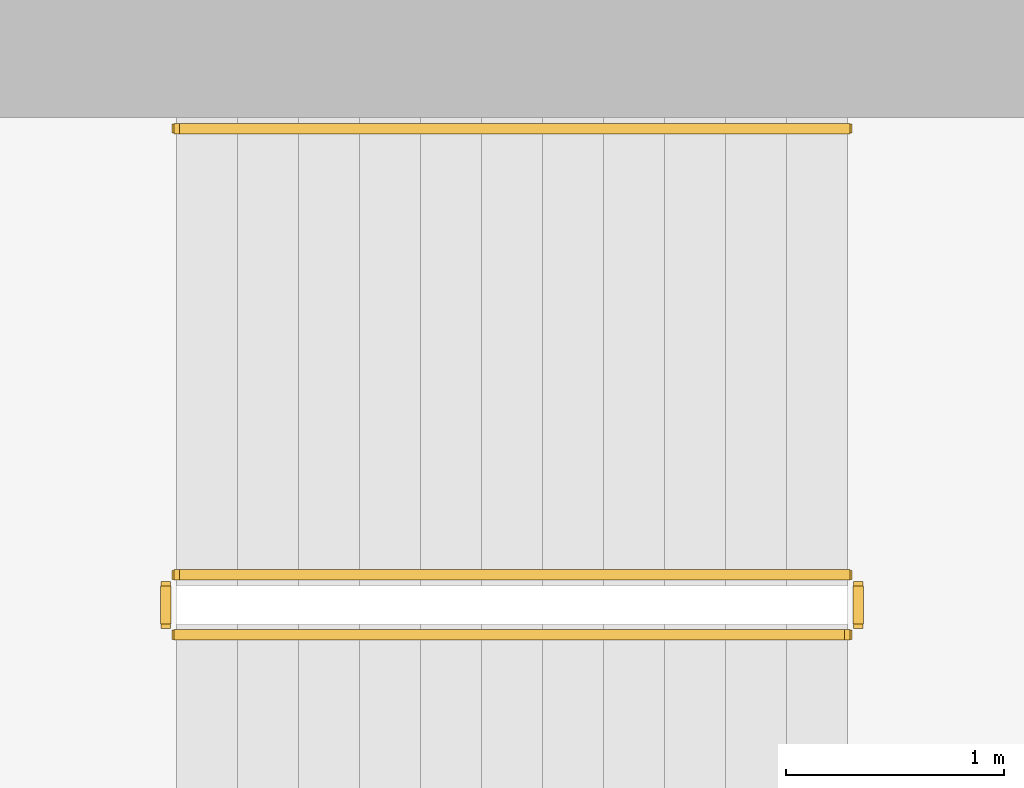
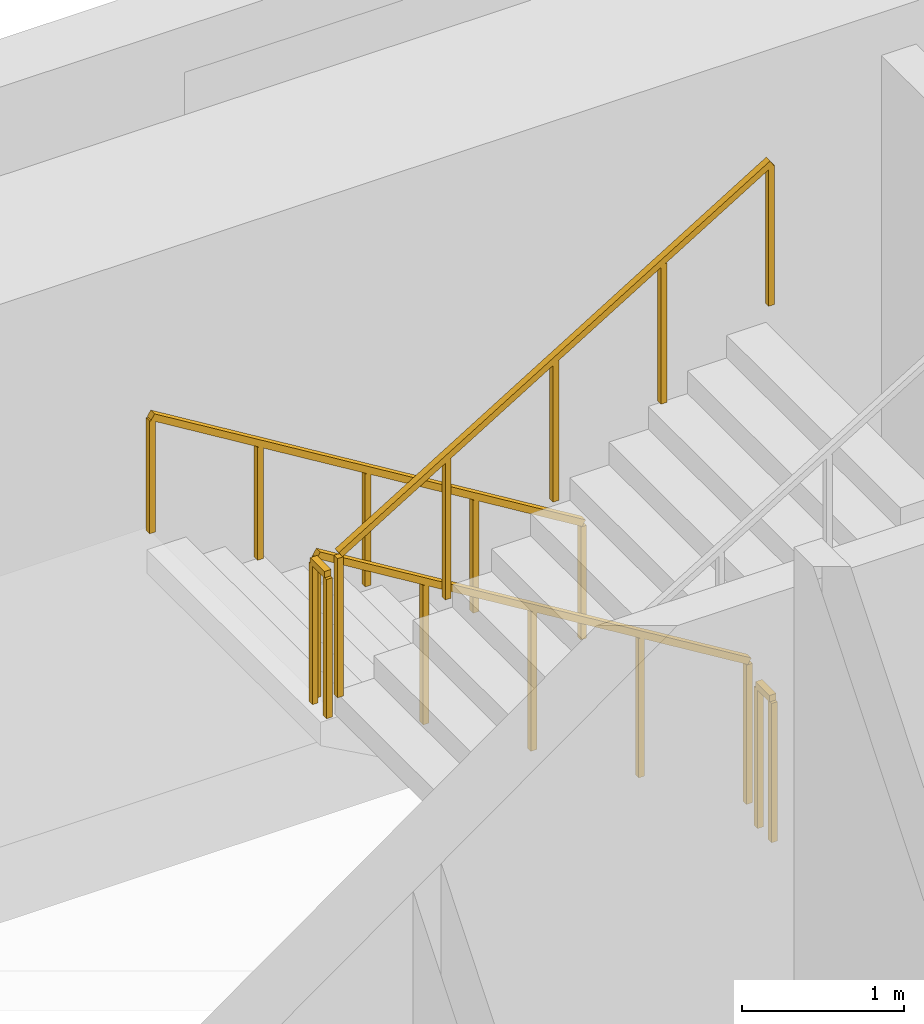
# One storey, part 13 of 14: 5 railings.
"""IFC4 building model written with IfcOpenShell, lengths in metres."""

from ifc_helpers import new_model, si_unit, direction, frame, origin, origin_2d, place, context, subcontext, project, spatial, rectangle, extrude, material, type_object, element, save


model = new_model("IFC4")

# Units and contexts
model_context = context("Model", 3, precision=1e-05, world=origin(), true_north=direction((0.0, 1.0)))
body_context = subcontext(model_context, "Body", "Model", "MODEL_VIEW")
ifc_project = project(units=[si_unit("LENGTHUNIT", "METRE"), si_unit("AREAUNIT", "SQUARE_METRE"), si_unit("VOLUMEUNIT", "CUBIC_METRE"), si_unit("PLANEANGLEUNIT", "RADIAN"), si_unit("MASSUNIT", "GRAM", prefix="KILO")], contexts=[model_context])

# Site, building, storey
site_placement = place(None, origin())
site = spatial("IfcSite", under=ifc_project, at=site_placement, CompositionType="ELEMENT")
building_placement = place(site_placement, origin())
building = spatial("IfcBuilding", under=site, at=building_placement, Name="Cypress Arch Tower", CompositionType="ELEMENT")
storey_placement = place(building_placement, frame((0.0, 0.0, 272.10009765625)))
storey = spatial("IfcBuildingStorey", under=building, at=storey_placement, Name="L61", CompositionType="ELEMENT", Elevation=272.10009765625)

# Railings
ifc_material_1 = material(Name="Black powder-coated steel square bar 48 mm", Category="steel")
railing_type_1 = type_object("IfcRailingType", Name="Stair handrail HR1", PredefinedType="HANDRAIL", material=ifc_material_1)
railing_1_placement = place(storey_placement, frame((-22.27490234375, 14.75, 0.170654296875)))
element("IfcRailing", 1, at=railing_1_placement, inside=storey, type_object=railing_type_1, Name="L61 B stair handrail 1", PredefinedType="HANDRAIL", context=body_context, shape_type="SweptSolid", body=[
    extrude(rectangle(XDim=0.048095703125, YDim=0.048095703125, at=origin_2d()), frame((0.0, 0.0, 0.8759765625), z_axis=(-0.853666305674, 0.0, 0.52082035152), x_axis=(0.0, -1.0, 0.0)), (0.0, 0.0, 1.0), 3.608154296875),
    extrude(rectangle(XDim=0.0419921875, YDim=0.0419921875, at=origin_2d()), origin(), (0.0, 0.0, 1.0), 0.851806640625),
    extrude(rectangle(XDim=0.0419921875, YDim=0.0419921875, at=origin_2d()), frame((-0.77001953125, 0.0, 0.4697265625)), (0.0, 0.0, 1.0), 0.851806640625),
    extrude(rectangle(XDim=0.0419921875, YDim=0.0419921875, at=origin_2d()), frame((-1.5400390625, 0.0, 0.939453125)), (0.0, 0.0, 1.0), 0.851806640625),
    extrude(rectangle(XDim=0.0419921875, YDim=0.0419921875, at=origin_2d()), frame((-2.31005859375, 0.0, 1.409423828125)), (0.0, 0.0, 1.0), 0.851806640625),
    extrude(rectangle(XDim=0.0419921875, YDim=0.0419921875, at=origin_2d()), frame((-3.080078125, 0.0, 1.879150390625)), (0.0, 0.0, 1.0), 0.851806640625),
])
ifc_material_2 = material(Name="Black powder-coated steel balusters", Category="steel")
railing_type_2 = type_object("IfcRailingType", Name="Stair well guard G1", PredefinedType="GUARDRAIL", material=ifc_material_2)
railing_2_placement = place(storey_placement, frame((-22.27490234375, 12.699951171875, 0.170654296875)))
element("IfcRailing", 2, at=railing_2_placement, inside=storey, type_object=railing_type_2, Name="L61 B stair guard 1", PredefinedType="GUARDRAIL", context=body_context, shape_type="SweptSolid", body=[
    extrude(rectangle(XDim=0.048095703125, YDim=0.048095703125, at=origin_2d()), frame((0.0, 0.0, 1.076171875), z_axis=(-0.853666305674, 0.0, 0.52082035152), x_axis=(0.0, -1.0, 0.0)), (0.0, 0.0, 1.0), 3.608154296875),
    extrude(rectangle(XDim=0.0419921875, YDim=0.0419921875, at=origin_2d()), origin(), (0.0, 0.0, 1.0), 1.052001953125),
    extrude(rectangle(XDim=0.0419921875, YDim=0.0419921875, at=origin_2d()), frame((-0.77001953125, 0.0, 0.4697265625)), (0.0, 0.0, 1.0), 1.052001953125),
    extrude(rectangle(XDim=0.0419921875, YDim=0.0419921875, at=origin_2d()), frame((-1.5400390625, 0.0, 0.939453125)), (0.0, 0.0, 1.0), 1.052001953125),
    extrude(rectangle(XDim=0.0419921875, YDim=0.0419921875, at=origin_2d()), frame((-2.31005859375, 0.0, 1.409423828125)), (0.0, 0.0, 1.0), 1.052001953125),
    extrude(rectangle(XDim=0.0419921875, YDim=0.0419921875, at=origin_2d()), frame((-3.080078125, 0.0, 1.879150390625)), (0.0, 0.0, 1.0), 1.052001953125),
])
railing_3_placement = place(storey_placement, frame((-25.405029296875, 12.64990234375, 2.0498046875)))
element("IfcRailing", 3, at=railing_3_placement, inside=storey, type_object=railing_type_2, Name="L61 B stair guard 2", PredefinedType="GUARDRAIL", context=body_context, shape_type="SweptSolid", body=[
    extrude(rectangle(XDim=0.048095703125, YDim=0.048095703125, at=origin_2d()), frame((0.0, 0.0, 1.076171875), z_axis=(0.0, -1.0, 0.0), x_axis=(1.0, 0.0, 0.0)), (0.0, 0.0, 1.0), 0.1748046875),
    extrude(rectangle(XDim=0.0419921875, YDim=0.0419921875, at=origin_2d()), origin(), (0.0, 0.0, 1.0), 1.052001953125),
    extrude(rectangle(XDim=0.0419921875, YDim=0.0419921875, at=origin_2d()), frame((0.0, -0.1748046875, 0.0)), (0.0, 0.0, 1.0), 1.052001953125),
])
railing_4_placement = place(storey_placement, frame((-25.35498046875, 12.425048828125, 2.220703125)))
element("IfcRailing", 4, at=railing_4_placement, inside=storey, type_object=railing_type_2, Name="L61 B stair guard 3", PredefinedType="GUARDRAIL", context=body_context, shape_type="SweptSolid", body=[
    extrude(rectangle(XDim=0.048095703125, YDim=0.048095703125, at=origin_2d()), frame((0.0, 0.0, 1.076171875), z_axis=(0.853666305674, 0.0, 0.52082035152), x_axis=(0.0, 1.0, 0.0)), (0.0, 0.0, 1.0), 3.608154296875),
    extrude(rectangle(XDim=0.0419921875, YDim=0.0419921875, at=origin_2d()), origin(), (0.0, 0.0, 1.0), 1.052001953125),
    extrude(rectangle(XDim=0.0419921875, YDim=0.0419921875, at=origin_2d()), frame((0.77001953125, 0.0, 0.4697265625)), (0.0, 0.0, 1.0), 1.052001953125),
    extrude(rectangle(XDim=0.0419921875, YDim=0.0419921875, at=origin_2d()), frame((1.5400390625, 0.0, 0.939453125)), (0.0, 0.0, 1.0), 1.052001953125),
    extrude(rectangle(XDim=0.0419921875, YDim=0.0419921875, at=origin_2d()), frame((2.31005859375, 0.0, 1.409423828125)), (0.0, 0.0, 1.0), 1.052001953125),
    extrude(rectangle(XDim=0.0419921875, YDim=0.0419921875, at=origin_2d()), frame((3.080078125, 0.0, 1.879150390625)), (0.0, 0.0, 1.0), 1.052001953125),
])
railing_5_placement = place(storey_placement, frame((-22.22509765625, 12.64990234375, 0.0)))
element("IfcRailing", 5, at=railing_5_placement, inside=storey, type_object=railing_type_2, Name="L61 B stair guard 4", PredefinedType="GUARDRAIL", context=body_context, shape_type="SweptSolid", body=[
    extrude(rectangle(XDim=0.048095703125, YDim=0.048095703125, at=origin_2d()), frame((0.0, 0.0, 1.076171875), z_axis=(0.0, -1.0, 0.0), x_axis=(1.0, 0.0, 0.0)), (0.0, 0.0, 1.0), 0.1748046875),
    extrude(rectangle(XDim=0.0419921875, YDim=0.0419921875, at=origin_2d()), origin(), (0.0, 0.0, 1.0), 1.052001953125),
    extrude(rectangle(XDim=0.0419921875, YDim=0.0419921875, at=origin_2d()), frame((0.0, -0.1748046875, 0.0)), (0.0, 0.0, 1.0), 1.052001953125),
])

save(model, "model.ifc")
